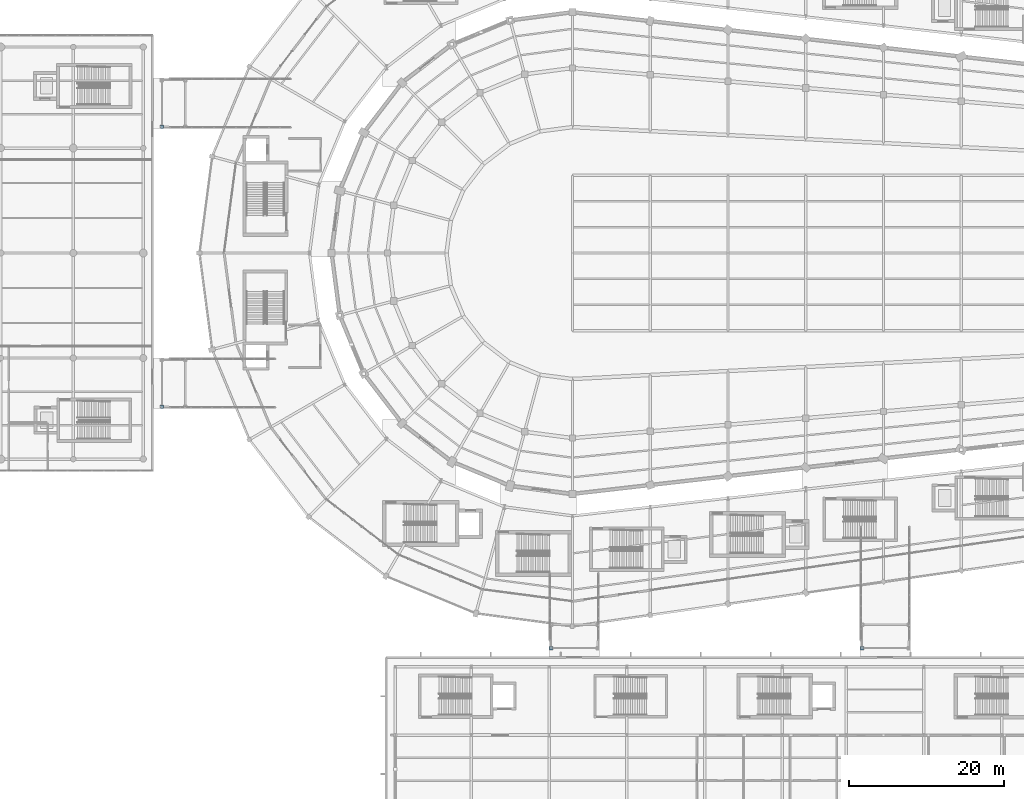
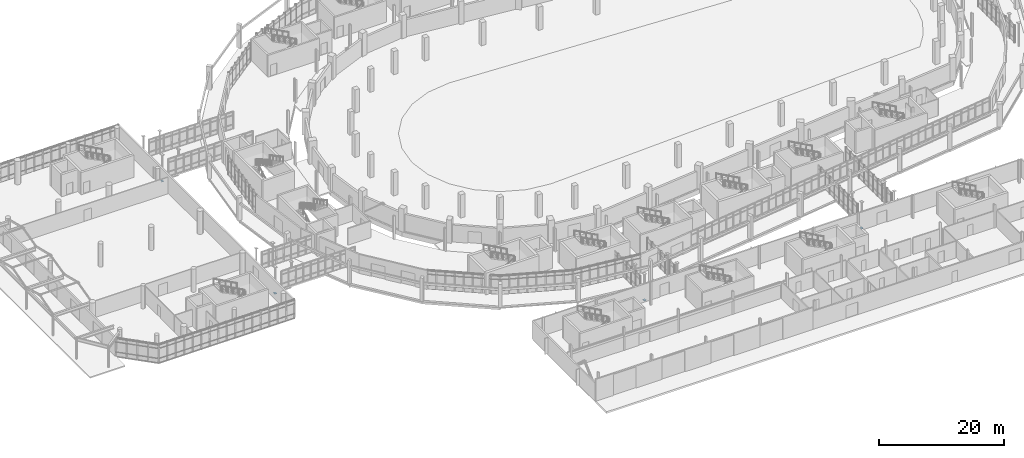
# One storey, part 114 of 122: 4 discrete accessories.
"""IFC4 building model written with IfcOpenShell, lengths in metres."""

from ifc_helpers import new_model, si_unit, direction, frame, origin, origin_2d, place, context, subcontext, project, spatial, rectangle, extrude, material, type_object, element, save


model = new_model("IFC4")

# Units and contexts
model_context = context("Model", 3, precision=1e-05, world=origin(), true_north=direction((0.0, 1.0)))
body_context = subcontext(model_context, "Body", "Model", "MODEL_VIEW")
ifc_project = project(units=[si_unit("LENGTHUNIT", "METRE"), si_unit("AREAUNIT", "SQUARE_METRE"), si_unit("VOLUMEUNIT", "CUBIC_METRE"), si_unit("PLANEANGLEUNIT", "RADIAN"), si_unit("MASSUNIT", "GRAM", prefix="KILO")], contexts=[model_context])

# Site, building, storey
site_placement = place(None, origin())
site = spatial("IfcSite", under=ifc_project, at=site_placement, CompositionType="ELEMENT")
building_placement = place(site_placement, origin())
building = spatial("IfcBuilding", under=site, at=building_placement, Name="Sohan Crest Arena", CompositionType="ELEMENT")
storey_placement = place(building_placement, origin())
storey = spatial("IfcBuildingStorey", under=building, at=storey_placement, Name="L00", CompositionType="ELEMENT", Elevation=0.0)

# Discrete accessories
ifc_material = material(Name="Steel S355", Category="steel")
discrete_accessory_type = type_object("IfcDiscreteAccessoryType", Name="STR-ACC-SLB1", PredefinedType="USERDEFINED", material=ifc_material)
for number, where, z_axis, x_axis, name in (
    (1, (45.199951171875, 58.25, -0.655029296875), (0.0, 0.0, 1.0), (1.0, 0.0, 0.0), "Unguided PTFE sliding bridge bearing BR-W1"),
    (2, (45.199951171875, 94.25, -0.655029296875), (0.0, 0.0, 1.0), (1.0, 0.0, 0.0), "Unguided PTFE sliding bridge bearing BR-W2"),
    (3, (95.25, 27.199951171875, -0.655029296875), (0.0, 0.0, 1.0), (1.0, 0.0, 0.0), "Unguided PTFE sliding bridge bearing BR-S1"),
    (4, (135.25, 27.199951171875, -0.655029296875), (0.0, 0.0, 1.0), (1.0, 0.0, 0.0), "Unguided PTFE sliding bridge bearing BR-S2"),
):
    element("IfcDiscreteAccessory", number, at=place(storey_placement, frame(where, z_axis=z_axis, x_axis=x_axis)), inside=storey, type_object=discrete_accessory_type, Name=name, ObjectType="SLIDING BEARING", PredefinedType="USERDEFINED", context=body_context, shape_type="SweptSolid", body=[
        extrude(rectangle(XDim=0.35009765625, YDim=0.449951171875, at=origin_2d()), origin(), (0.0, 0.0, 1.0), 0.080078125),
    ])

save(model, "model.ifc")
